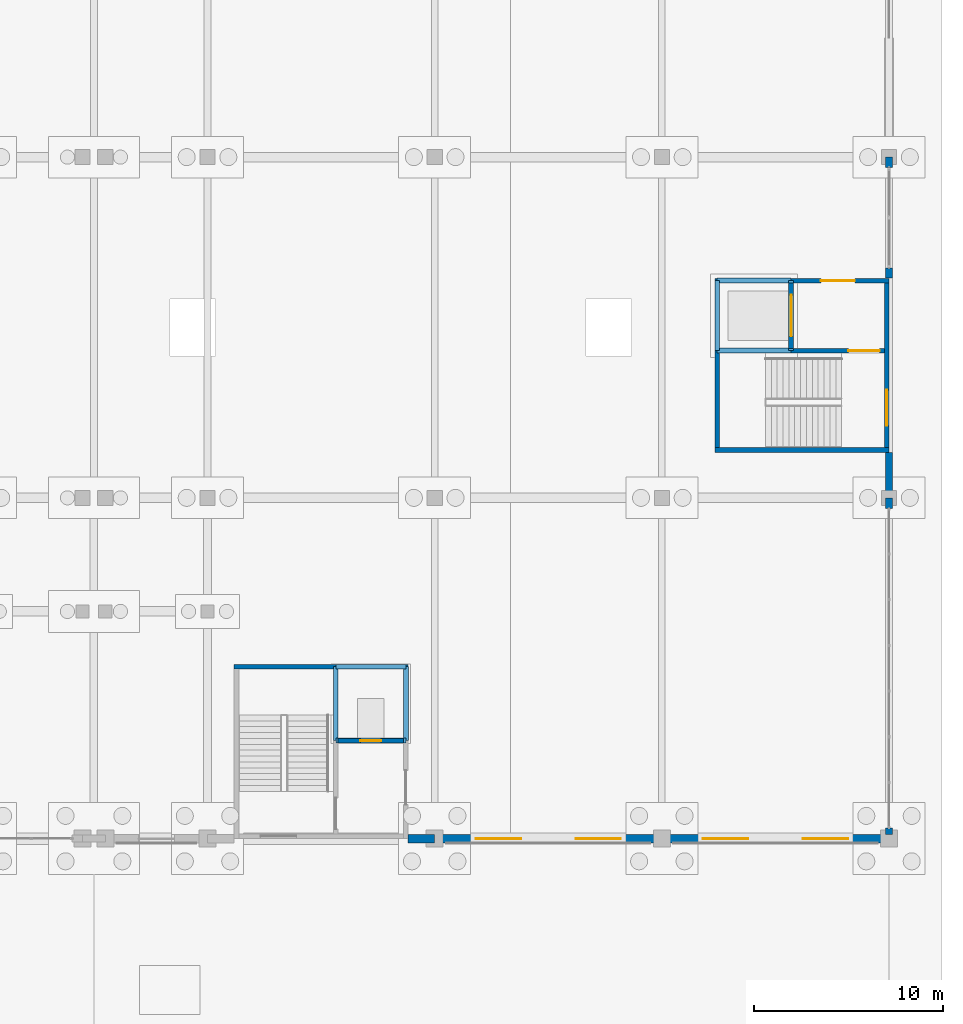
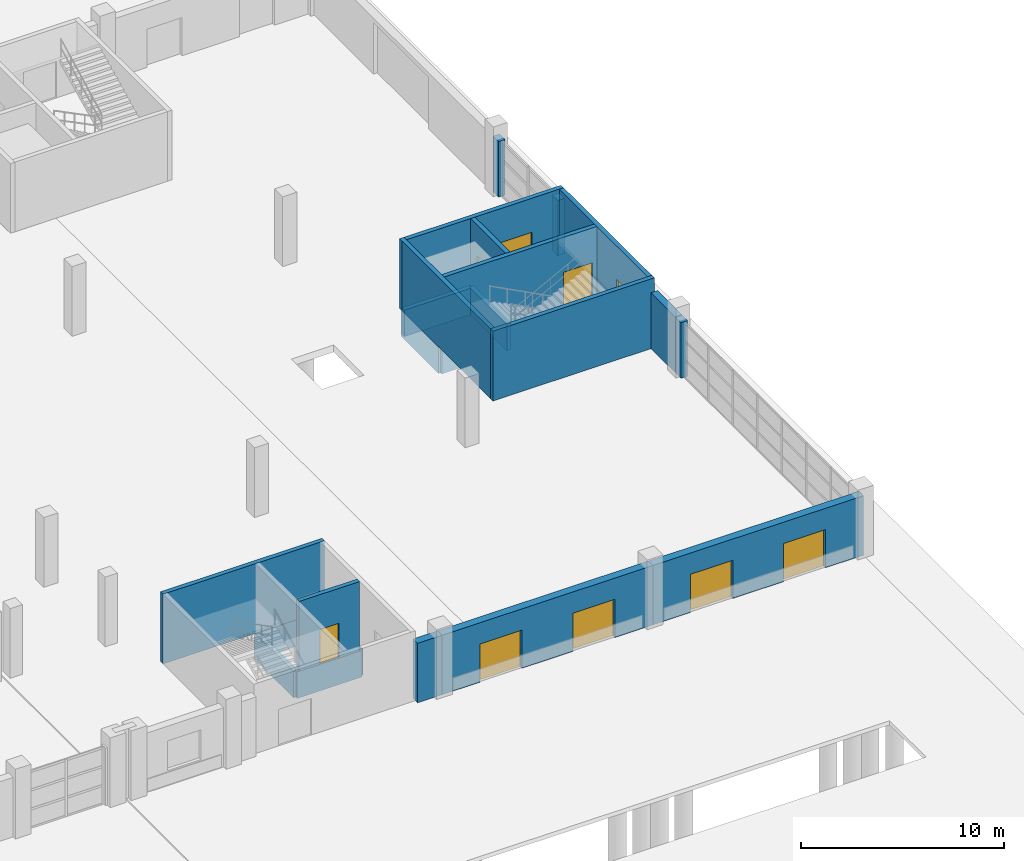
# One storey, part 62 of 77: 24 walls, 9 doors, 9 openings.
"""IFC4 building model written with IfcOpenShell, lengths in metres."""

from ifc_helpers import new_model, si_unit, direction, frame, frame_2d, origin, place, context, subcontext, project, spatial, rectangle, extrude, material, layer, layer_set, type_object, element, fill, save


model = new_model("IFC4")

# Units and contexts
model_context = context("Model", 3, precision=1e-05, world=origin(), true_north=direction((0.0, 1.0)))
body_context = subcontext(model_context, "Body", "Model", "MODEL_VIEW")
ifc_project = project(units=[si_unit("LENGTHUNIT", "METRE"), si_unit("AREAUNIT", "SQUARE_METRE"), si_unit("VOLUMEUNIT", "CUBIC_METRE"), si_unit("PLANEANGLEUNIT", "RADIAN"), si_unit("MASSUNIT", "GRAM", prefix="KILO")], contexts=[model_context])

# Site, building, storey
site_placement = place(None, origin())
site = spatial("IfcSite", under=ifc_project, at=site_placement, CompositionType="ELEMENT")
building_placement = place(site_placement, origin())
building = spatial("IfcBuilding", under=site, at=building_placement, Name="Zilviju Railside Exhibition Hall", CompositionType="ELEMENT")
storey_placement = place(building_placement, origin())
storey = spatial("IfcBuildingStorey", under=building, at=storey_placement, Name="L01", CompositionType="ELEMENT", Elevation=0.0)

# Wall
ifc_material_1 = material(Name="Concrete C35/45", Category="concrete")
ifc_layer_1 = layer(ifc_material_1, 0.25)
ifc_layer_set_1 = layer_set([ifc_layer_1], Name="Concrete C35/45")
wall_type_1 = type_object("IfcWallType", Name="WL-CORE-250", PredefinedType="SHEAR", material=ifc_layer_set_1)
wall_1_placement = place(storey_placement, frame((181.39990234375, 93.074951171875, 0.0), z_axis=(0.0, 0.0, 1.0), x_axis=(1.0, 0.0, 0.0)))
element("IfcWall", 1, at=wall_1_placement, inside=storey, type_object=wall_type_1, Name="Core C07 North Hall Court East Core Rear Wall L01", PredefinedType="SHEAR", context=body_context, shape_type="SweptSolid", body=[
    extrude(rectangle(XDim=9.2001953125, YDim=0.25, at=frame_2d((4.60009765625, 0.0))), origin(), (0.0, 0.0, 1.0), 4.199951171875),
])

# Wall, opening, door
wall_2_placement = place(storey_placement, frame((186.89990234375, 89.175048828125, 0.0), z_axis=(0.0, 0.0, 1.0), x_axis=(1.0, 0.0, 0.0)))
wall_2 = element("IfcWall", 2, at=wall_2_placement, inside=storey, type_object=wall_type_1, Name="Core C07 North Hall Court East Lift Shaft Front Wall L01", PredefinedType="SHEAR", context=body_context, shape_type="SweptSolid", body=[
    extrude(rectangle(XDim=3.4501953125, YDim=0.25, at=frame_2d((1.72509765625, 0.0))), origin(), (0.0, 0.0, 1.0), 4.199951171875),
])
opening_1_placement = place(wall_2_placement, frame((1.175048828125, 0.0, 0.0)))
opening_1 = element("IfcOpeningElement", 3, at=opening_1_placement, cuts=wall_2, Name="Opening LD-01", PredefinedType="OPENING", context=body_context, shape_type="SweptSolid", body=[
    extrude(rectangle(XDim=1.10009765625, YDim=2.10009765625, at=frame_2d((0.550048828125, 1.050048828125))), frame((0.0, 0.135009765625, 0.0), z_axis=(0.0, -1.0, 0.0), x_axis=(1.0, 0.0, 0.0)), (0.0, 0.0, 1.0), 0.27001953125),
])
ifc_material_2 = material(Name="Passenger lift sliding landing door EI 60", Category="wood")
door_type_1 = type_object("IfcDoorType", Name="DR-LIFT-110x210", OperationType="NOTDEFINED", PredefinedType="DOOR", material=ifc_material_2)
door_1_placement = place(opening_1_placement, origin())
door_1 = element("IfcDoor", 4, at=door_1_placement, inside=storey, type_object=door_type_1, Name="Lift Landing Door LP-03 L01", OperationType="SLIDING_TO_LEFT", OverallHeight=2.10009765625, OverallWidth=1.10009765625, PredefinedType="DOOR", context=body_context, shape_type="SweptSolid", body=[
    extrude(rectangle(XDim=1.10009765625, YDim=2.10009765625, at=frame_2d((0.550048828125, 1.050048828125))), frame((0.0, 0.02490234375, 0.0), z_axis=(0.0, -1.0, 0.0), x_axis=(1.0, 0.0, 0.0)), (0.0, 0.0, 1.0), 0.050048828125),
])
fill(opening_1, door_1)

# Walls
wall_3_placement = place(storey_placement, frame((216.0, 104.52490234375, 0.0), z_axis=(0.0, 0.0, 1.0), x_axis=(-1.0, 0.0, 0.0)))
element("IfcWall", 5, at=wall_3_placement, inside=storey, type_object=wall_type_1, Name="Core C09 North Hall Gable East Stairwell Outer Wall L01", PredefinedType="SHEAR", context=body_context, shape_type="SweptSolid", body=[
    extrude(rectangle(XDim=9.199951171875, YDim=0.25, at=frame_2d((4.60009765625, 0.0))), origin(), (0.0, 0.0, 1.0), 4.199951171875),
])
wall_4_placement = place(storey_placement, frame((206.925048828125, 104.39990234375, 0.0), z_axis=(0.0, 0.0, 1.0), x_axis=(0.0, 1.0, 0.0)))
element("IfcWall", 6, at=wall_4_placement, inside=storey, type_object=wall_type_1, Name="Core C09 North Hall Gable East Core Rear Wall L01", PredefinedType="SHEAR", context=body_context, shape_type="SweptSolid", body=[
    extrude(rectangle(XDim=9.2001953125, YDim=0.25, at=frame_2d((4.60009765625, 0.0))), origin(), (0.0, 0.0, 1.0), 4.199951171875),
])

# Wall, opening, door
wall_5_placement = place(storey_placement, frame((216.0, 113.47509765625, 0.0), z_axis=(0.0, 0.0, 1.0), x_axis=(-1.0, 0.0, 0.0)))
wall_5 = element("IfcWall", 7, at=wall_5_placement, inside=storey, type_object=wall_type_1, Name="Core C09 North Hall Gable East Lobby Side Wall L01", PredefinedType="SHEAR", context=body_context, shape_type="SweptSolid", body=[
    extrude(rectangle(XDim=9.199951171875, YDim=0.25, at=frame_2d((4.60009765625, 0.0))), origin(), (0.0, 0.0, 1.0), 4.199951171875),
])
opening_2_placement = place(wall_5_placement, frame((1.800048828125, 0.0, 0.0)))
opening_2 = element("IfcOpeningElement", 8, at=opening_2_placement, cuts=wall_5, Name="Opening FD-02", PredefinedType="OPENING", context=body_context, shape_type="SweptSolid", body=[
    extrude(rectangle(XDim=1.800048828125, YDim=2.14990234375, at=frame_2d((0.89990234375, 1.074951171875))), frame((0.0, 0.135009765625, 0.0), z_axis=(0.0, -1.0, 0.0), x_axis=(1.0, 0.0, 0.0)), (0.0, 0.0, 1.0), 0.27001953125),
])
ifc_material_3 = material(Name="Self-closing glazed steel core lobby fire door EI 60", Category="steel")
door_type_2 = type_object("IfcDoorType", Name="DR-LOBBY-180x215", OperationType="NOTDEFINED", PredefinedType="DOOR", material=ifc_material_3)
door_2_placement = place(opening_2_placement, origin())
door_2 = element("IfcDoor", 9, at=door_2_placement, inside=storey, type_object=door_type_2, Name="Core C09 North Hall Gable East Lobby Fire Door L01", OperationType="DOUBLE_DOOR_SINGLE_SWING", OverallHeight=2.14990234375, OverallWidth=1.800048828125, PredefinedType="DOOR", context=body_context, shape_type="SweptSolid", body=[
    extrude(rectangle(XDim=1.800048828125, YDim=2.14990234375, at=frame_2d((0.89990234375, 1.074951171875))), frame((0.0, 0.02490234375, 0.0), z_axis=(0.0, -1.0, 0.0), x_axis=(1.0, 0.0, 0.0)), (0.0, 0.0, 1.0), 0.050048828125),
])
fill(opening_2, door_2)

wall_6_placement = place(storey_placement, frame((215.75, 109.77490234375, 0.0), z_axis=(0.0, 0.0, 1.0), x_axis=(-1.0, 0.0, 0.0)))
wall_6 = element("IfcWall", 10, at=wall_6_placement, inside=storey, type_object=wall_type_1, Name="Core C09 North Hall Gable East Stairwell Partition Wall L01", PredefinedType="SHEAR", context=body_context, shape_type="SweptSolid", body=[
    extrude(rectangle(XDim=8.699951171875, YDim=0.25, at=frame_2d((4.35009765625, 0.0))), origin(), (0.0, 0.0, 1.0), 4.199951171875),
])
opening_3_placement = place(wall_6_placement, frame((0.25, 0.0, 0.0)))
opening_3 = element("IfcOpeningElement", 11, at=opening_3_placement, cuts=wall_6, Name="Opening FD-01", PredefinedType="OPENING", context=body_context, shape_type="SweptSolid", body=[
    extrude(rectangle(XDim=1.64990234375, YDim=2.10009765625, at=frame_2d((0.824951171875, 1.050048828125))), frame((0.0, 0.135009765625, 0.0), z_axis=(0.0, -1.0, 0.0), x_axis=(1.0, 0.0, 0.0)), (0.0, 0.0, 1.0), 0.27001953125),
])
ifc_material_4 = material(Name="Self-closing steel stair enclosure fire door EI 60", Category="steel")
door_type_3 = type_object("IfcDoorType", Name="DR-STAIR-165x210", OperationType="NOTDEFINED", PredefinedType="DOOR", material=ifc_material_4)
door_3_placement = place(opening_3_placement, origin())
door_3 = element("IfcDoor", 12, at=door_3_placement, inside=storey, type_object=door_type_3, Name="Core C09 North Hall Gable East Protected Stair Door L01", OperationType="SINGLE_SWING_RIGHT", OverallHeight=2.10009765625, OverallWidth=1.64990234375, PredefinedType="DOOR", context=body_context, shape_type="SweptSolid", body=[
    extrude(rectangle(XDim=1.64990234375, YDim=2.10009765625, at=frame_2d((0.824951171875, 1.050048828125))), frame((0.0, 0.02490234375, 0.0), z_axis=(0.0, -1.0, 0.0), x_axis=(1.0, 0.0, 0.0)), (0.0, 0.0, 1.0), 0.050048828125),
])
fill(opening_3, door_3)

wall_7_placement = place(storey_placement, frame((210.824951171875, 109.89990234375, 0.0), z_axis=(0.0, 0.0, 1.0), x_axis=(0.0, 1.0, 0.0)))
wall_7 = element("IfcWall", 13, at=wall_7_placement, inside=storey, type_object=wall_type_1, Name="Core C09 North Hall Gable East Lift Shaft Front Wall L01", PredefinedType="SHEAR", context=body_context, shape_type="SweptSolid", body=[
    extrude(rectangle(XDim=3.4501953125, YDim=0.25, at=frame_2d((1.72509765625, 0.0))), origin(), (0.0, 0.0, 1.0), 4.199951171875),
])
opening_4_placement = place(wall_7_placement, frame((0.625, 0.0, 0.0)))
opening_4 = element("IfcOpeningElement", 14, at=opening_4_placement, cuts=wall_7, Name="Opening LD-02", PredefinedType="OPENING", context=body_context, shape_type="SweptSolid", body=[
    extrude(rectangle(XDim=2.199951171875, YDim=2.35009765625, at=frame_2d((1.10009765625, 1.175048828125))), frame((0.0, 0.135009765625, 0.0), z_axis=(0.0, -1.0, 0.0), x_axis=(1.0, 0.0, 0.0)), (0.0, 0.0, 1.0), 0.27001953125),
])
ifc_material_5 = material(Name="Heavy freight lift sliding landing door EI 60", Category="wood")
door_type_4 = type_object("IfcDoorType", Name="DR-LIFT-220x235", OperationType="NOTDEFINED", PredefinedType="DOOR", material=ifc_material_5)
door_4_placement = place(opening_4_placement, origin())
door_4 = element("IfcDoor", 15, at=door_4_placement, inside=storey, type_object=door_type_4, Name="Lift Landing Door LF-03 L01", OperationType="SLIDING_TO_LEFT", OverallHeight=2.35009765625, OverallWidth=2.199951171875, PredefinedType="DOOR", context=body_context, shape_type="SweptSolid", body=[
    extrude(rectangle(XDim=2.199951171875, YDim=2.35009765625, at=frame_2d((1.10009765625, 1.175048828125))), frame((0.0, 0.02490234375, 0.0), z_axis=(0.0, -1.0, 0.0), x_axis=(1.0, 0.0, 0.0)), (0.0, 0.0, 1.0), 0.050048828125),
])
fill(opening_4, door_4)

# Walls
ifc_material_6 = material(Name="Concrete C40/50", Category="concrete")
ifc_layer_2 = layer(ifc_material_6, 0.25)
ifc_layer_set_2 = layer_set([ifc_layer_2], Name="Concrete C40/50")
wall_type_2 = type_object("IfcWallType", Name="WL-CORE-300", PredefinedType="SHEAR", material=ifc_layer_set_2)
wall_8_placement = place(storey_placement, frame((186.780029296875, 89.179931640625, -1.60009765625), z_axis=(0.0, 0.0, 1.0), x_axis=(1.0, 0.0, 0.0)))
element("IfcWall", 16, at=wall_8_placement, inside=storey, type_object=wall_type_2, Name="Core C07 North Hall Court East Lift Pit Wall 1", PredefinedType="SHEAR", context=body_context, shape_type="SweptSolid", body=[
    extrude(rectangle(XDim=3.699951171875, YDim=0.25, at=frame_2d((1.85009765625, 0.0))), origin(), (0.0, 0.0, 1.0), 1.60009765625),
])
wall_9_placement = place(storey_placement, frame((190.47998046875, 89.179931640625, -1.60009765625), z_axis=(0.0, 0.0, 1.0), x_axis=(0.0, 1.0, 0.0)))
element("IfcWall", 17, at=wall_9_placement, inside=storey, type_object=wall_type_2, Name="Core C07 North Hall Court East Lift Pit Wall 2", PredefinedType="SHEAR", context=body_context, shape_type="SweptSolid", body=[
    extrude(rectangle(XDim=3.900146484375, YDim=0.25, at=frame_2d((1.9501953125, 0.0))), origin(), (0.0, 0.0, 1.0), 1.60009765625),
])
wall_10_placement = place(storey_placement, frame((190.47998046875, 93.080078125, -1.60009765625), z_axis=(0.0, 0.0, 1.0), x_axis=(-1.0, 0.0, 0.0)))
element("IfcWall", 18, at=wall_10_placement, inside=storey, type_object=wall_type_2, Name="Core C07 North Hall Court East Lift Pit Wall 3", PredefinedType="SHEAR", context=body_context, shape_type="SweptSolid", body=[
    extrude(rectangle(XDim=3.699951171875, YDim=0.25, at=frame_2d((1.85009765625, 0.0))), origin(), (0.0, 0.0, 1.0), 1.60009765625),
])
wall_11_placement = place(storey_placement, frame((186.780029296875, 93.080078125, -1.60009765625), z_axis=(0.0, 0.0, 1.0), x_axis=(0.0, -1.0, 0.0)))
element("IfcWall", 19, at=wall_11_placement, inside=storey, type_object=wall_type_2, Name="Core C07 North Hall Court East Lift Pit Wall 4", PredefinedType="SHEAR", context=body_context, shape_type="SweptSolid", body=[
    extrude(rectangle(XDim=3.900146484375, YDim=0.25, at=frame_2d((1.9501953125, 0.0))), origin(), (0.0, 0.0, 1.0), 1.60009765625),
])
wall_12_placement = place(storey_placement, frame((210.820068359375, 109.780029296875, -1.60009765625), z_axis=(0.0, 0.0, 1.0), x_axis=(0.0, 1.0, 0.0)))
element("IfcWall", 20, at=wall_12_placement, inside=storey, type_object=wall_type_2, Name="Core C09 North Hall Gable East Lift Pit Wall 1", PredefinedType="SHEAR", context=body_context, shape_type="SweptSolid", body=[
    extrude(rectangle(XDim=3.699951171875, YDim=0.25, at=frame_2d((1.85009765625, 0.0))), origin(), (0.0, 0.0, 1.0), 1.60009765625),
])
wall_13_placement = place(storey_placement, frame((210.820068359375, 113.47998046875, -1.60009765625), z_axis=(0.0, 0.0, 1.0), x_axis=(-1.0, 0.0, 0.0)))
element("IfcWall", 21, at=wall_13_placement, inside=storey, type_object=wall_type_2, Name="Core C09 North Hall Gable East Lift Pit Wall 2", PredefinedType="SHEAR", context=body_context, shape_type="SweptSolid", body=[
    extrude(rectangle(XDim=3.900146484375, YDim=0.25, at=frame_2d((1.9501953125, 0.0))), origin(), (0.0, 0.0, 1.0), 1.60009765625),
])
wall_14_placement = place(storey_placement, frame((206.919921875, 113.47998046875, -1.60009765625), z_axis=(0.0, 0.0, 1.0), x_axis=(0.0, -1.0, 0.0)))
element("IfcWall", 22, at=wall_14_placement, inside=storey, type_object=wall_type_2, Name="Core C09 North Hall Gable East Lift Pit Wall 3", PredefinedType="SHEAR", context=body_context, shape_type="SweptSolid", body=[
    extrude(rectangle(XDim=3.699951171875, YDim=0.25, at=frame_2d((1.85009765625, 0.0))), origin(), (0.0, 0.0, 1.0), 1.60009765625),
])
wall_15_placement = place(storey_placement, frame((206.919921875, 109.780029296875, -1.60009765625), z_axis=(0.0, 0.0, 1.0), x_axis=(1.0, 0.0, 0.0)))
element("IfcWall", 23, at=wall_15_placement, inside=storey, type_object=wall_type_2, Name="Core C09 North Hall Gable East Lift Pit Wall 4", PredefinedType="SHEAR", context=body_context, shape_type="SweptSolid", body=[
    extrude(rectangle(XDim=3.900146484375, YDim=0.25, at=frame_2d((1.9501953125, 0.0))), origin(), (0.0, 0.0, 1.0), 1.60009765625),
])

# Wall, opening, door
wall_16_placement = place(storey_placement, frame((215.875, 113.60009765625, 0.0), z_axis=(0.0, 0.0, 1.0), x_axis=(0.0, -1.0, 0.0)))
wall_16 = element("IfcWall", 24, at=wall_16_placement, inside=storey, type_object=wall_type_2, Name="Core C09 North Hall Gable East Exterior Core Wall L01", PredefinedType="SHEAR", context=body_context, shape_type="SweptSolid", body=[
    extrude(rectangle(XDim=9.2001953125, YDim=0.25, at=frame_2d((4.60009765625, 0.0))), origin(), (0.0, 0.0, 1.0), 4.199951171875),
])
opening_5_placement = place(wall_16_placement, frame((5.89990234375, 0.0, 0.0)))
opening_5 = element("IfcOpeningElement", 25, at=opening_5_placement, cuts=wall_16, Name="Opening ED-02", PredefinedType="OPENING", context=body_context, shape_type="SweptSolid", body=[
    extrude(rectangle(XDim=1.89990234375, YDim=2.199951171875, at=frame_2d((0.949951171875, 1.10009765625))), frame((0.0, 0.135009765625, 0.0), z_axis=(0.0, -1.0, 0.0), x_axis=(1.0, 0.0, 0.0)), (0.0, 0.0, 1.0), 0.27001953125),
])
ifc_material_7 = material(Name="Insulated aluminium stair discharge door", Category="aluminium")
door_type_5 = type_object("IfcDoorType", Name="DR-EXT-EXIT-190x220", OperationType="NOTDEFINED", PredefinedType="DOOR", material=ifc_material_7)
door_5_placement = place(opening_5_placement, origin())
door_5 = element("IfcDoor", 26, at=door_5_placement, inside=storey, type_object=door_type_5, Name="Core C09 North Hall Gable East Exit Stair Discharge Door ED-C09", OperationType="DOUBLE_DOOR_SINGLE_SWING", OverallHeight=2.199951171875, OverallWidth=1.89990234375, PredefinedType="DOOR", context=body_context, shape_type="SweptSolid", body=[
    extrude(rectangle(XDim=1.89990234375, YDim=2.199951171875, at=frame_2d((0.949951171875, 1.10009765625))), frame((0.0, 0.02490234375, 0.0), z_axis=(0.0, -1.0, 0.0), x_axis=(1.0, 0.0, 0.0)), (0.0, 0.0, 1.0), 0.050048828125),
])
fill(opening_5, door_5)

# Walls
ifc_material_8 = material(Name="Insulated cream-brick upper facade wall", Category="masonry")
ifc_layer_3 = layer(ifc_material_8, 0.3798828125)
ifc_layer_set_3 = layer_set([ifc_layer_3], Name="Insulated cream-brick upper facade wall")
wall_type_3 = type_object("IfcWallType", Name="WL-EXT-380", PredefinedType="SOLIDWALL", material=ifc_layer_set_3)
wall_17_placement = place(storey_placement, frame((216.0, 84.550048828125, 0.0), z_axis=(0.0, 0.0, 1.0), x_axis=(0.0, -1.0, 0.0)))
element("IfcWall", 27, at=wall_17_placement, inside=storey, type_object=wall_type_3, Name="Curtain-Wall Jamb Closure Pier L01 0180", PredefinedType="SOLIDWALL", context=body_context, shape_type="SweptSolid", body=[
    extrude(rectangle(XDim=0.322998046875, YDim=0.3798828125, at=frame_2d((0.16162109375, 0.0))), origin(), (0.0, 0.0, 1.0), 3.35009765625),
])
wall_18_placement = place(storey_placement, frame((216.0, 101.998046875, 0.0), z_axis=(0.0, 0.0, 1.0), x_axis=(0.0, -1.0, 0.0)))
element("IfcWall", 28, at=wall_18_placement, inside=storey, type_object=wall_type_3, Name="Curtain-Wall Jamb Closure Pier L01 0181", PredefinedType="SOLIDWALL", context=body_context, shape_type="SweptSolid", body=[
    extrude(rectangle(XDim=0.548095703125, YDim=0.3798828125, at=frame_2d((0.27392578125, 0.0))), origin(), (0.0, 0.0, 1.0), 3.35009765625),
])
wall_19_placement = place(storey_placement, frame((216.0, 104.39990234375, 0.0), z_axis=(0.0, 0.0, 1.0), x_axis=(0.0, -1.0, 0.0)))
element("IfcWall", 29, at=wall_19_placement, inside=storey, type_object=wall_type_3, Name="Exterior Facade Wall L01 East 0182", PredefinedType="SOLIDWALL", context=body_context, shape_type="SweptSolid", body=[
    extrude(rectangle(XDim=2.39990234375, YDim=0.3798828125, at=frame_2d((1.199951171875, 0.0))), origin(), (0.0, 0.0, 1.0), 3.3701171875),
])
wall_20_placement = place(storey_placement, frame((216.0, 114.14990234375, 0.0), z_axis=(0.0, 0.0, 1.0), x_axis=(0.0, -1.0, 0.0)))
element("IfcWall", 30, at=wall_20_placement, inside=storey, type_object=wall_type_3, Name="Curtain-Wall Jamb Closure Pier L01 0183", PredefinedType="SOLIDWALL", context=body_context, shape_type="SweptSolid", body=[
    extrude(rectangle(XDim=0.5478515625, YDim=0.3798828125, at=frame_2d((0.27392578125, 0.0))), origin(), (0.0, 0.0, 1.0), 3.35009765625),
])
wall_21_placement = place(storey_placement, frame((216.0, 119.998046875, 0.0), z_axis=(0.0, 0.0, 1.0), x_axis=(0.0, -1.0, 0.0)))
element("IfcWall", 31, at=wall_21_placement, inside=storey, type_object=wall_type_3, Name="Curtain-Wall Jamb Closure Pier L01 0184", PredefinedType="SOLIDWALL", context=body_context, shape_type="SweptSolid", body=[
    extrude(rectangle(XDim=0.548095703125, YDim=0.3798828125, at=frame_2d((0.27392578125, 0.0))), origin(), (0.0, 0.0, 1.0), 3.35009765625),
])
ifc_material_9 = material(Name="Insulated Staburags travertine masonry wall", Category="masonry")
ifc_layer_4 = layer(ifc_material_9, 0.449951171875)
ifc_layer_set_4 = layer_set([ifc_layer_4], Name="Insulated Staburags travertine masonry wall")
wall_type_4 = type_object("IfcWallType", Name="WL-EXT-450", PredefinedType="SOLIDWALL", material=ifc_layer_set_4)
wall_22_placement = place(storey_placement, frame((192.0, 84.0, 0.0), z_axis=(0.0, 0.0, 1.0), x_axis=(-1.0, 0.0, 0.0)))
element("IfcWall", 32, at=wall_22_placement, inside=storey, type_object=wall_type_4, Name="Exterior Facade Wall L01 South 0173", PredefinedType="SOLIDWALL", context=body_context, shape_type="SweptSolid", body=[
    extrude(rectangle(XDim=1.39990234375, YDim=0.449951171875, at=frame_2d((0.699951171875, 0.0))), origin(), (0.0, 0.0, 1.0), 3.580078125),
])

# Wall, openings, doors
wall_23_placement = place(storey_placement, frame((204.0, 84.0, 0.0), z_axis=(0.0, 0.0, 1.0), x_axis=(-1.0, 0.0, 0.0)))
wall_23 = element("IfcWall", 33, at=wall_23_placement, inside=storey, type_object=wall_type_4, Name="Exterior Facade Wall L01 South 0174", PredefinedType="SOLIDWALL", context=body_context, shape_type="SweptSolid", body=[
    extrude(rectangle(XDim=12.0, YDim=0.449951171875, at=frame_2d((6.0, 0.0))), origin(), (0.0, 0.0, 1.0), 3.580078125),
])
opening_6_placement = place(wall_23_placement, frame((2.159912109375, 0.0, 0.0)))
opening_6 = element("IfcOpeningElement", 34, at=opening_6_placement, cuts=wall_23, Name="Opening ED-05", PredefinedType="OPENING", context=body_context, shape_type="SweptSolid", body=[
    extrude(rectangle(XDim=2.39990234375, YDim=2.300048828125, at=frame_2d((1.199951171875, 1.14990234375))), frame((0.0, 0.23486328125, 0.0), z_axis=(0.0, -1.0, 0.0), x_axis=(1.0, 0.0, 0.0)), (0.0, 0.0, 1.0), 0.469970703125),
])
opening_7_placement = place(wall_23_placement, frame((7.43994140625, 0.0, 0.0)))
opening_7 = element("IfcOpeningElement", 35, at=opening_7_placement, cuts=wall_23, Name="Opening ED-05", PredefinedType="OPENING", context=body_context, shape_type="SweptSolid", body=[
    extrude(rectangle(XDim=2.39990234375, YDim=2.300048828125, at=frame_2d((1.199951171875, 1.14990234375))), frame((0.0, 0.23486328125, 0.0), z_axis=(0.0, -1.0, 0.0), x_axis=(1.0, 0.0, 0.0)), (0.0, 0.0, 1.0), 0.469970703125),
])
ifc_material_10 = material(Name="Insulated bronze-clad exhibition hall double exit door", Category="steel")
door_type_6 = type_object("IfcDoorType", Name="DR-EXT-EXIT-240x230", OperationType="NOTDEFINED", PredefinedType="DOOR", material=ifc_material_10)
door_6_placement = place(opening_6_placement, origin())
door_6 = element("IfcDoor", 36, at=door_6_placement, inside=storey, type_object=door_type_6, Name="Pedestrian Final Exit Door ED-026", OperationType="DOUBLE_DOOR_SINGLE_SWING", OverallHeight=2.300048828125, OverallWidth=2.39990234375, PredefinedType="DOOR", context=body_context, shape_type="SweptSolid", body=[
    extrude(rectangle(XDim=2.39990234375, YDim=2.300048828125, at=frame_2d((1.199951171875, 1.14990234375))), frame((0.0, 0.02490234375, 0.0), z_axis=(0.0, -1.0, 0.0), x_axis=(1.0, 0.0, 0.0)), (0.0, 0.0, 1.0), 0.050048828125),
])
fill(opening_6, door_6)
door_7_placement = place(opening_7_placement, origin())
door_7 = element("IfcDoor", 37, at=door_7_placement, inside=storey, type_object=door_type_6, Name="Pedestrian Final Exit Door ED-027", OperationType="DOUBLE_DOOR_SINGLE_SWING", OverallHeight=2.300048828125, OverallWidth=2.39990234375, PredefinedType="DOOR", context=body_context, shape_type="SweptSolid", body=[
    extrude(rectangle(XDim=2.39990234375, YDim=2.300048828125, at=frame_2d((1.199951171875, 1.14990234375))), frame((0.0, 0.02490234375, 0.0), z_axis=(0.0, -1.0, 0.0), x_axis=(1.0, 0.0, 0.0)), (0.0, 0.0, 1.0), 0.050048828125),
])
fill(opening_7, door_7)

wall_24_placement = place(storey_placement, frame((216.0, 84.0, 0.0), z_axis=(0.0, 0.0, 1.0), x_axis=(-1.0, 0.0, 0.0)))
wall_24 = element("IfcWall", 38, at=wall_24_placement, inside=storey, type_object=wall_type_4, Name="Exterior Facade Wall L01 South 0175", PredefinedType="SOLIDWALL", context=body_context, shape_type="SweptSolid", body=[
    extrude(rectangle(XDim=12.0, YDim=0.449951171875, at=frame_2d((6.0, 0.0))), origin(), (0.0, 0.0, 1.0), 3.580078125),
])
opening_8_placement = place(wall_24_placement, frame((2.159912109375, 0.0, 0.0)))
opening_8 = element("IfcOpeningElement", 39, at=opening_8_placement, cuts=wall_24, Name="Opening ED-05", PredefinedType="OPENING", context=body_context, shape_type="SweptSolid", body=[
    extrude(rectangle(XDim=2.39990234375, YDim=2.300048828125, at=frame_2d((1.199951171875, 1.14990234375))), frame((0.0, 0.23486328125, 0.0), z_axis=(0.0, -1.0, 0.0), x_axis=(1.0, 0.0, 0.0)), (0.0, 0.0, 1.0), 0.469970703125),
])
opening_9_placement = place(wall_24_placement, frame((7.43994140625, 0.0, 0.0)))
opening_9 = element("IfcOpeningElement", 40, at=opening_9_placement, cuts=wall_24, Name="Opening ED-05", PredefinedType="OPENING", context=body_context, shape_type="SweptSolid", body=[
    extrude(rectangle(XDim=2.39990234375, YDim=2.300048828125, at=frame_2d((1.199951171875, 1.14990234375))), frame((0.0, 0.23486328125, 0.0), z_axis=(0.0, -1.0, 0.0), x_axis=(1.0, 0.0, 0.0)), (0.0, 0.0, 1.0), 0.469970703125),
])
door_8_placement = place(opening_8_placement, origin())
door_8 = element("IfcDoor", 41, at=door_8_placement, inside=storey, type_object=door_type_6, Name="Pedestrian Final Exit Door ED-028", OperationType="DOUBLE_DOOR_SINGLE_SWING", OverallHeight=2.300048828125, OverallWidth=2.39990234375, PredefinedType="DOOR", context=body_context, shape_type="SweptSolid", body=[
    extrude(rectangle(XDim=2.39990234375, YDim=2.300048828125, at=frame_2d((1.199951171875, 1.14990234375))), frame((0.0, 0.02490234375, 0.0), z_axis=(0.0, -1.0, 0.0), x_axis=(1.0, 0.0, 0.0)), (0.0, 0.0, 1.0), 0.050048828125),
])
fill(opening_8, door_8)
door_9_placement = place(opening_9_placement, origin())
door_9 = element("IfcDoor", 42, at=door_9_placement, inside=storey, type_object=door_type_6, Name="Pedestrian Final Exit Door ED-029", OperationType="DOUBLE_DOOR_SINGLE_SWING", OverallHeight=2.300048828125, OverallWidth=2.39990234375, PredefinedType="DOOR", context=body_context, shape_type="SweptSolid", body=[
    extrude(rectangle(XDim=2.39990234375, YDim=2.300048828125, at=frame_2d((1.199951171875, 1.14990234375))), frame((0.0, 0.02490234375, 0.0), z_axis=(0.0, -1.0, 0.0), x_axis=(1.0, 0.0, 0.0)), (0.0, 0.0, 1.0), 0.050048828125),
])
fill(opening_9, door_9)

save(model, "model.ifc")
